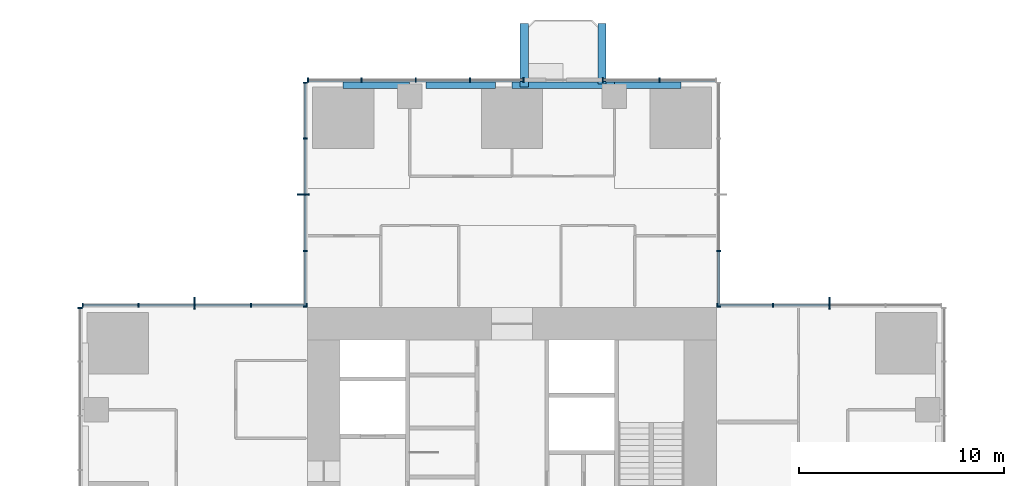
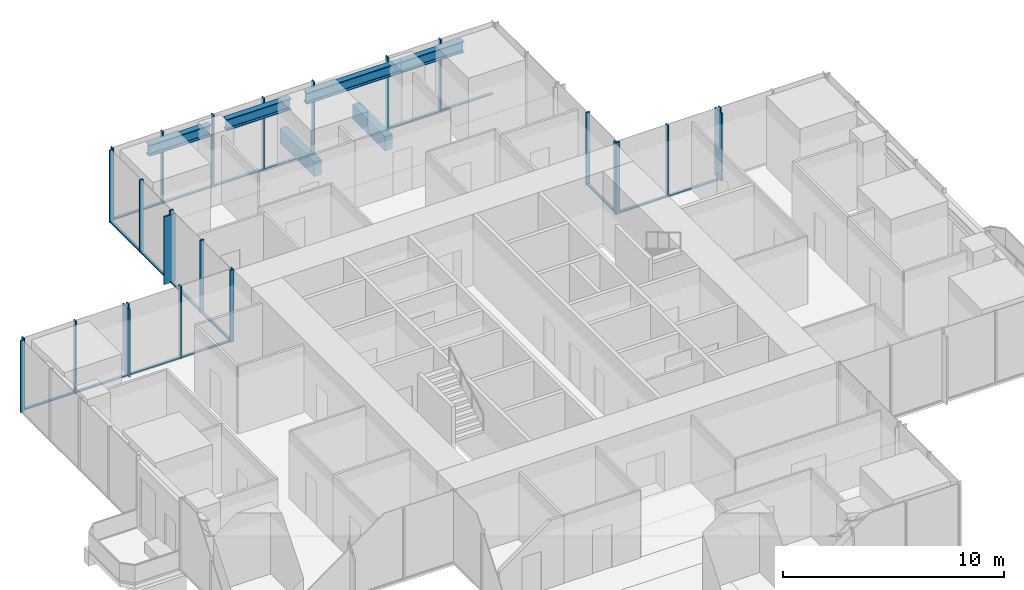
# One storey, part 5 of 14: 43 members, 6 beams, 7 elements without a shape of their own.
"""IFC4 building model written with IfcOpenShell, lengths in metres."""

from ifc_helpers import new_model, si_unit, direction, frame, origin, origin_2d, place, context, subcontext, project, spatial, rectangle, i_section, extrude, material, material_profile, profile_set, type_object, element, aggregate, save


model = new_model("IFC4")

# Units and contexts
model_context = context("Model", 3, precision=1e-05, world=origin(), true_north=direction((0.0, 1.0)))
body_context = subcontext(model_context, "Body", "Model", "MODEL_VIEW")
ifc_project = project(units=[si_unit("LENGTHUNIT", "METRE"), si_unit("AREAUNIT", "SQUARE_METRE"), si_unit("VOLUMEUNIT", "CUBIC_METRE"), si_unit("PLANEANGLEUNIT", "RADIAN"), si_unit("MASSUNIT", "GRAM", prefix="KILO")], contexts=[model_context])

# Site, building, storey
site_placement = place(None, origin())
site = spatial("IfcSite", under=ifc_project, at=site_placement, CompositionType="ELEMENT")
building_placement = place(site_placement, origin())
building = spatial("IfcBuilding", under=site, at=building_placement, Name="Svetlomir Tower", CompositionType="ELEMENT")
storey_placement = place(building_placement, frame((0.0, 0.0, 112.5)))
storey = spatial("IfcBuildingStorey", under=building, at=storey_placement, Name="L26", CompositionType="ELEMENT", Elevation=112.5)

# Beams
ifc_material_1 = material(Name="Concrete C60/75", Category="concrete")
ifc_material_profile_1 = material_profile(ifc_material_1, rectangle(XDim=0.39990234375, YDim=0.800048828125, at=origin_2d()), Name="RC 400x800")
ifc_profile_set_1 = profile_set([ifc_material_profile_1], Name="Concrete C60/75")
beam_type_1 = type_object("IfcBeamType", Name="BALCONY RIB RC 400x800", PredefinedType="BEAM", material=ifc_profile_set_1)
beam_1_placement = place(storey_placement, frame((21.60009765625, 41.75, -0.64990234375), z_axis=(0.0, 1.0, 0.0), x_axis=(-1.0, 0.0, 0.0)))
element("IfcBeam", 1, at=beam_1_placement, inside=storey, type_object=beam_type_1, Name="Balcony rib N 1 L26", PredefinedType="BEAM", context=body_context, shape_type="SweptSolid", body=[
    extrude(rectangle(XDim=0.39990234375, YDim=0.800048828125, at=origin_2d()), origin(), (0.0, 0.0, 1.0), 3.10009765625),
])
beam_2_placement = place(storey_placement, frame((25.39990234375, 41.89990234375, -0.64990234375), z_axis=(0.0, 1.0, 0.0), x_axis=(-1.0, 0.0, 0.0)))
element("IfcBeam", 2, at=beam_2_placement, inside=storey, type_object=beam_type_1, Name="Balcony rib N 2 L26", PredefinedType="BEAM", context=body_context, shape_type="SweptSolid", body=[
    extrude(rectangle(XDim=0.39990234375, YDim=0.800048828125, at=origin_2d()), origin(), (0.0, 0.0, 1.0), 2.9501953125),
])

# Curtain wall, member
ifc_material_2 = material(Name="Bronze anodised aluminium curtain wall", Category="aluminium")
curtain_wall_type = type_object("IfcCurtainWallType", Name="CURTAIN WALL CW1 TOWER OFFICE", PredefinedType="NOTDEFINED", material=ifc_material_2)
curtain_wall_1_placement = place(storey_placement, origin())
curtain_wall_1 = element("IfcCurtainWall", 3, at=curtain_wall_1_placement, inside=storey, type_object=curtain_wall_type, Name="Curtain wall CW1 L26", PredefinedType="NOTDEFINED")
ifc_material_3 = material(Name="Bronze anodised aluminium", Category="aluminium")
ifc_material_profile_2 = material_profile(ifc_material_3, rectangle(XDim=0.080078125, YDim=0.60009765625, at=origin_2d()), Name="FIN 80x600")
ifc_profile_set_2 = profile_set([ifc_material_profile_2], Name="Bronze anodised aluminium 6063-T6")
member_type_1 = type_object("IfcMemberType", Name="BRONZE FIN 80x600", PredefinedType="USERDEFINED", material=ifc_profile_set_2)
member_1_placement = place(storey_placement, frame((36.5, 31.199951171875, 0.0), z_axis=(0.0, 0.0, 1.0), x_axis=(1.0, 0.0, 0.0)))
member_1 = element("IfcMember", 4, at=member_1_placement, type_object=member_type_1, Name="Bronze fin L26", ObjectType="FIN", PredefinedType="USERDEFINED", context=body_context, shape_type="SweptSolid", body=[
    extrude(rectangle(XDim=0.080078125, YDim=0.60009765625, at=origin_2d()), origin(), (0.0, 0.0, 1.0), 3.75),
])

curtain_wall_2_placement = place(storey_placement, origin())
curtain_wall_2 = element("IfcCurtainWall", 5, at=curtain_wall_2_placement, inside=storey, type_object=curtain_wall_type, Name="Curtain wall CW1 L26", PredefinedType="NOTDEFINED")
member_2_placement = place(storey_placement, frame((10.800048828125, 36.5, 0.0), z_axis=(0.0, 0.0, 1.0), x_axis=(0.0, 1.0, 0.0)))
member_2 = element("IfcMember", 6, at=member_2_placement, type_object=member_type_1, Name="Bronze fin L26", ObjectType="FIN", PredefinedType="USERDEFINED", context=body_context, shape_type="SweptSolid", body=[
    extrude(rectangle(XDim=0.080078125, YDim=0.60009765625, at=origin_2d()), origin(), (0.0, 0.0, 1.0), 3.75),
])

curtain_wall_3_placement = place(storey_placement, origin())
curtain_wall_3 = element("IfcCurtainWall", 7, at=curtain_wall_3_placement, inside=storey, type_object=curtain_wall_type, Name="Curtain wall CW1 L26", PredefinedType="NOTDEFINED")
member_3_placement = place(storey_placement, frame((5.5, 31.199951171875, 0.0), z_axis=(0.0, 0.0, 1.0), x_axis=(1.0, 0.0, 0.0)))
member_3 = element("IfcMember", 8, at=member_3_placement, type_object=member_type_1, Name="Bronze fin L26", ObjectType="FIN", PredefinedType="USERDEFINED", context=body_context, shape_type="SweptSolid", body=[
    extrude(rectangle(XDim=0.080078125, YDim=0.60009765625, at=origin_2d()), origin(), (0.0, 0.0, 1.0), 3.75),
])

# Member
ifc_material_4 = material(Name="Bronze anodised aluminium", Category="aluminium")
ifc_material_profile_3 = material_profile(ifc_material_4, rectangle(XDim=0.06494140625, YDim=0.199951171875, at=origin_2d()), Name="AL 65x200")
ifc_profile_set_3 = profile_set([ifc_material_profile_3], Name="Bronze anodised aluminium 6063-T6")
member_type_2 = type_object("IfcMemberType", Name="CW1 MULLION 65x200", PredefinedType="MULLION", material=ifc_profile_set_3)
member_4_placement = place(storey_placement, frame((36.5, 31.10009765625, 0.0), z_axis=(0.0, 0.0, 1.0), x_axis=(-1.0, 0.0, 0.0)))
member_4 = element("IfcMember", 9, at=member_4_placement, type_object=member_type_2, Name="CW1 mullion 3", PredefinedType="MULLION", context=body_context, shape_type="SweptSolid", body=[
    extrude(rectangle(XDim=0.06494140625, YDim=0.199951171875, at=origin_2d()), origin(), (0.0, 0.0, 1.0), 4.0),
])

member_5_placement = place(storey_placement, frame((33.75, 31.10009765625, 0.0), z_axis=(0.0, 0.0, 1.0), x_axis=(-1.0, 0.0, 0.0)))
member_5 = element("IfcMember", 10, at=member_5_placement, type_object=member_type_2, Name="CW1 mullion 4", PredefinedType="MULLION", context=body_context, shape_type="SweptSolid", body=[
    extrude(rectangle(XDim=0.06494140625, YDim=0.199951171875, at=origin_2d()), origin(), (0.0, 0.0, 1.0), 4.0),
])

member_6_placement = place(storey_placement, frame((31.032470703125, 31.10009765625, 0.0), z_axis=(0.0, 0.0, 1.0), x_axis=(-1.0, 0.0, 0.0)))
member_6 = element("IfcMember", 11, at=member_6_placement, type_object=member_type_2, Name="CW1 mullion 5", PredefinedType="MULLION", context=body_context, shape_type="SweptSolid", body=[
    extrude(rectangle(XDim=0.06494140625, YDim=0.199951171875, at=origin_2d()), origin(), (0.0, 0.0, 1.0), 4.0),
])

# Curtain wall, members
curtain_wall_4_placement = place(storey_placement, origin())
curtain_wall_4 = element("IfcCurtainWall", 12, at=curtain_wall_4_placement, inside=storey, type_object=curtain_wall_type, Name="Curtain wall CW1 L26", PredefinedType="NOTDEFINED")
member_7_placement = place(storey_placement, frame((31.10009765625, 31.032470703125, 0.0), z_axis=(0.0, 0.0, 1.0), x_axis=(0.0, 1.0, 0.0)))
member_7 = element("IfcMember", 13, at=member_7_placement, type_object=member_type_2, Name="CW1 mullion 1", PredefinedType="MULLION", context=body_context, shape_type="SweptSolid", body=[
    extrude(rectangle(XDim=0.06494140625, YDim=0.199951171875, at=origin_2d()), origin(), (0.0, 0.0, 1.0), 4.0),
])
member_8_placement = place(storey_placement, frame((31.10009765625, 33.75, 0.0), z_axis=(0.0, 0.0, 1.0), x_axis=(0.0, 1.0, 0.0)))
member_8 = element("IfcMember", 14, at=member_8_placement, type_object=member_type_2, Name="CW1 mullion 2", PredefinedType="MULLION", context=body_context, shape_type="SweptSolid", body=[
    extrude(rectangle(XDim=0.06494140625, YDim=0.199951171875, at=origin_2d()), origin(), (0.0, 0.0, 1.0), 4.0),
])

curtain_wall_5_placement = place(storey_placement, origin())
curtain_wall_5 = element("IfcCurtainWall", 15, at=curtain_wall_5_placement, inside=storey, type_object=curtain_wall_type, Name="Curtain wall CW1 L26", PredefinedType="NOTDEFINED")
member_9_placement = place(storey_placement, frame((28.199951171875, 42.10009765625, 0.0), z_axis=(0.0, 0.0, 1.0), x_axis=(-1.0, 0.0, 0.0)))
member_9 = element("IfcMember", 16, at=member_9_placement, type_object=member_type_2, Name="CW1 mullion 2", PredefinedType="MULLION", context=body_context, shape_type="SweptSolid", body=[
    extrude(rectangle(XDim=0.06494140625, YDim=0.199951171875, at=origin_2d()), origin(), (0.0, 0.0, 1.0), 4.0),
])
member_10_placement = place(storey_placement, frame((25.4326171875, 42.10009765625, 0.0), z_axis=(0.0, 0.0, 1.0), x_axis=(-1.0, 0.0, 0.0)))
member_10 = element("IfcMember", 17, at=member_10_placement, type_object=member_type_2, Name="CW1 mullion 3", PredefinedType="MULLION", context=body_context, shape_type="SweptSolid", body=[
    extrude(rectangle(XDim=0.06494140625, YDim=0.199951171875, at=origin_2d()), origin(), (0.0, 0.0, 1.0), 4.0),
])

curtain_wall_6_placement = place(storey_placement, origin())
curtain_wall_6 = element("IfcCurtainWall", 18, at=curtain_wall_6_placement, inside=storey, type_object=curtain_wall_type, Name="Curtain wall CW1 L26", PredefinedType="NOTDEFINED")
member_11_placement = place(storey_placement, frame((21.5673828125, 42.10009765625, 0.0), z_axis=(0.0, 0.0, 1.0), x_axis=(-1.0, 0.0, 0.0)))
member_11 = element("IfcMember", 19, at=member_11_placement, type_object=member_type_2, Name="CW1 mullion 1", PredefinedType="MULLION", context=body_context, shape_type="SweptSolid", body=[
    extrude(rectangle(XDim=0.06494140625, YDim=0.199951171875, at=origin_2d()), origin(), (0.0, 0.0, 1.0), 4.0),
])
member_12_placement = place(storey_placement, frame((18.949951171875, 42.10009765625, 0.0), z_axis=(0.0, 0.0, 1.0), x_axis=(-1.0, 0.0, 0.0)))
member_12 = element("IfcMember", 20, at=member_12_placement, type_object=member_type_2, Name="CW1 mullion 2", PredefinedType="MULLION", context=body_context, shape_type="SweptSolid", body=[
    extrude(rectangle(XDim=0.06494140625, YDim=0.199951171875, at=origin_2d()), origin(), (0.0, 0.0, 1.0), 4.0),
])
member_13_placement = place(storey_placement, frame((16.300048828125, 42.10009765625, 0.0), z_axis=(0.0, 0.0, 1.0), x_axis=(-1.0, 0.0, 0.0)))
member_13 = element("IfcMember", 21, at=member_13_placement, type_object=member_type_2, Name="CW1 mullion 3", PredefinedType="MULLION", context=body_context, shape_type="SweptSolid", body=[
    extrude(rectangle(XDim=0.06494140625, YDim=0.199951171875, at=origin_2d()), origin(), (0.0, 0.0, 1.0), 4.0),
])
member_14_placement = place(storey_placement, frame((13.64990234375, 42.10009765625, 0.0), z_axis=(0.0, 0.0, 1.0), x_axis=(-1.0, 0.0, 0.0)))
member_14 = element("IfcMember", 22, at=member_14_placement, type_object=member_type_2, Name="CW1 mullion 4", PredefinedType="MULLION", context=body_context, shape_type="SweptSolid", body=[
    extrude(rectangle(XDim=0.06494140625, YDim=0.199951171875, at=origin_2d()), origin(), (0.0, 0.0, 1.0), 4.0),
])
member_15_placement = place(storey_placement, frame((11.032470703125, 42.10009765625, 0.0), z_axis=(0.0, 0.0, 1.0), x_axis=(-1.0, 0.0, 0.0)))
member_15 = element("IfcMember", 23, at=member_15_placement, type_object=member_type_2, Name="CW1 mullion 5", PredefinedType="MULLION", context=body_context, shape_type="SweptSolid", body=[
    extrude(rectangle(XDim=0.06494140625, YDim=0.199951171875, at=origin_2d()), origin(), (0.0, 0.0, 1.0), 4.0),
])

# Member
member_16_placement = place(storey_placement, frame((10.89990234375, 41.967529296875, 0.0), z_axis=(0.0, 0.0, 1.0), x_axis=(0.0, -1.0, 0.0)))
member_16 = element("IfcMember", 24, at=member_16_placement, type_object=member_type_2, Name="CW1 mullion 1", PredefinedType="MULLION", context=body_context, shape_type="SweptSolid", body=[
    extrude(rectangle(XDim=0.06494140625, YDim=0.199951171875, at=origin_2d()), origin(), (0.0, 0.0, 1.0), 4.0),
])

member_17_placement = place(storey_placement, frame((10.89990234375, 39.25, 0.0), z_axis=(0.0, 0.0, 1.0), x_axis=(0.0, -1.0, 0.0)))
member_17 = element("IfcMember", 25, at=member_17_placement, type_object=member_type_2, Name="CW1 mullion 2", PredefinedType="MULLION", context=body_context, shape_type="SweptSolid", body=[
    extrude(rectangle(XDim=0.06494140625, YDim=0.199951171875, at=origin_2d()), origin(), (0.0, 0.0, 1.0), 4.0),
])

member_18_placement = place(storey_placement, frame((10.89990234375, 36.5, 0.0), z_axis=(0.0, 0.0, 1.0), x_axis=(0.0, -1.0, 0.0)))
member_18 = element("IfcMember", 26, at=member_18_placement, type_object=member_type_2, Name="CW1 mullion 3", PredefinedType="MULLION", context=body_context, shape_type="SweptSolid", body=[
    extrude(rectangle(XDim=0.06494140625, YDim=0.199951171875, at=origin_2d()), origin(), (0.0, 0.0, 1.0), 4.0),
])

member_19_placement = place(storey_placement, frame((10.89990234375, 33.75, 0.0), z_axis=(0.0, 0.0, 1.0), x_axis=(0.0, -1.0, 0.0)))
member_19 = element("IfcMember", 27, at=member_19_placement, type_object=member_type_2, Name="CW1 mullion 4", PredefinedType="MULLION", context=body_context, shape_type="SweptSolid", body=[
    extrude(rectangle(XDim=0.06494140625, YDim=0.199951171875, at=origin_2d()), origin(), (0.0, 0.0, 1.0), 4.0),
])

member_20_placement = place(storey_placement, frame((10.89990234375, 31.032470703125, 0.0), z_axis=(0.0, 0.0, 1.0), x_axis=(0.0, -1.0, 0.0)))
member_20 = element("IfcMember", 28, at=member_20_placement, type_object=member_type_2, Name="CW1 mullion 5", PredefinedType="MULLION", context=body_context, shape_type="SweptSolid", body=[
    extrude(rectangle(XDim=0.06494140625, YDim=0.199951171875, at=origin_2d()), origin(), (0.0, 0.0, 1.0), 4.0),
])

member_21_placement = place(storey_placement, frame((10.967529296875, 31.10009765625, 0.0), z_axis=(0.0, 0.0, 1.0), x_axis=(-1.0, 0.0, 0.0)))
member_21 = element("IfcMember", 29, at=member_21_placement, type_object=member_type_2, Name="CW1 mullion 1", PredefinedType="MULLION", context=body_context, shape_type="SweptSolid", body=[
    extrude(rectangle(XDim=0.06494140625, YDim=0.199951171875, at=origin_2d()), origin(), (0.0, 0.0, 1.0), 4.0),
])

member_22_placement = place(storey_placement, frame((8.25, 31.10009765625, 0.0), z_axis=(0.0, 0.0, 1.0), x_axis=(-1.0, 0.0, 0.0)))
member_22 = element("IfcMember", 30, at=member_22_placement, type_object=member_type_2, Name="CW1 mullion 2", PredefinedType="MULLION", context=body_context, shape_type="SweptSolid", body=[
    extrude(rectangle(XDim=0.06494140625, YDim=0.199951171875, at=origin_2d()), origin(), (0.0, 0.0, 1.0), 4.0),
])

member_23_placement = place(storey_placement, frame((5.5, 31.10009765625, 0.0), z_axis=(0.0, 0.0, 1.0), x_axis=(-1.0, 0.0, 0.0)))
member_23 = element("IfcMember", 31, at=member_23_placement, type_object=member_type_2, Name="CW1 mullion 3", PredefinedType="MULLION", context=body_context, shape_type="SweptSolid", body=[
    extrude(rectangle(XDim=0.06494140625, YDim=0.199951171875, at=origin_2d()), origin(), (0.0, 0.0, 1.0), 4.0),
])

member_24_placement = place(storey_placement, frame((2.75, 31.10009765625, 0.0), z_axis=(0.0, 0.0, 1.0), x_axis=(-1.0, 0.0, 0.0)))
member_24 = element("IfcMember", 32, at=member_24_placement, type_object=member_type_2, Name="CW1 mullion 4", PredefinedType="MULLION", context=body_context, shape_type="SweptSolid", body=[
    extrude(rectangle(XDim=0.06494140625, YDim=0.199951171875, at=origin_2d()), origin(), (0.0, 0.0, 1.0), 4.0),
])

member_25_placement = place(storey_placement, frame((0.032470703125, 31.10009765625, 0.0), z_axis=(0.0, 0.0, 1.0), x_axis=(-1.0, 0.0, 0.0)))
member_25 = element("IfcMember", 33, at=member_25_placement, type_object=member_type_2, Name="CW1 mullion 5", PredefinedType="MULLION", context=body_context, shape_type="SweptSolid", body=[
    extrude(rectangle(XDim=0.06494140625, YDim=0.199951171875, at=origin_2d()), origin(), (0.0, 0.0, 1.0), 4.0),
])

# Curtain wall, member
curtain_wall_7_placement = place(storey_placement, origin())
curtain_wall_7 = element("IfcCurtainWall", 34, at=curtain_wall_7_placement, inside=storey, type_object=curtain_wall_type, Name="Curtain wall CW1 L26", PredefinedType="NOTDEFINED")
member_26_placement = place(storey_placement, frame((-0.10009765625, 30.967529296875, 0.0), z_axis=(0.0, 0.0, 1.0), x_axis=(0.0, -1.0, 0.0)))
member_26 = element("IfcMember", 35, at=member_26_placement, type_object=member_type_2, Name="CW1 mullion 1", PredefinedType="MULLION", context=body_context, shape_type="SweptSolid", body=[
    extrude(rectangle(XDim=0.06494140625, YDim=0.199951171875, at=origin_2d()), origin(), (0.0, 0.0, 1.0), 4.0),
])
aggregate(curtain_wall_7, [member_26])

# Member
ifc_material_5 = material(Name="Bronze anodised aluminium", Category="aluminium")
ifc_material_profile_4 = material_profile(ifc_material_5, rectangle(XDim=0.139892578125, YDim=0.06494140625, at=origin_2d()), Name="AL 140x65")
ifc_profile_set_4 = profile_set([ifc_material_profile_4], Name="Bronze anodised aluminium 6063-T6")
member_type_3 = type_object("IfcMemberType", Name="CW1 TRANSOM 65x140", PredefinedType="USERDEFINED", material=ifc_profile_set_4)
member_27_placement = place(storey_placement, frame((36.467529296875, 31.10009765625, 0.032470703125), z_axis=(-1.0, 0.0, 0.0), x_axis=(0.0, -1.0, 0.0)))
member_27 = element("IfcMember", 36, at=member_27_placement, type_object=member_type_3, Name="CW1 transom 3.1", ObjectType="TRANSOM", PredefinedType="USERDEFINED", context=body_context, shape_type="SweptSolid", body=[
    extrude(rectangle(XDim=0.139892578125, YDim=0.06494140625, at=origin_2d()), origin(), (0.0, 0.0, 1.0), 2.68505859375),
])

member_28_placement = place(storey_placement, frame((33.717529296875, 31.10009765625, 0.032470703125), z_axis=(-1.0, 0.0, 0.0), x_axis=(0.0, -1.0, 0.0)))
member_28 = element("IfcMember", 37, at=member_28_placement, type_object=member_type_3, Name="CW1 transom 4.1", ObjectType="TRANSOM", PredefinedType="USERDEFINED", context=body_context, shape_type="SweptSolid", body=[
    extrude(rectangle(XDim=0.139892578125, YDim=0.06494140625, at=origin_2d()), origin(), (0.0, 0.0, 1.0), 2.652587890625),
])

aggregate(curtain_wall_1, [member_4, member_5, member_6, member_27, member_28, member_1])

member_29_placement = place(storey_placement, frame((31.10009765625, 31.06494140625, 0.032470703125), z_axis=(0.0, 1.0, 0.0), x_axis=(-1.0, 0.0, 0.0)))
member_29 = element("IfcMember", 38, at=member_29_placement, type_object=member_type_3, Name="CW1 transom 1.1", ObjectType="TRANSOM", PredefinedType="USERDEFINED", context=body_context, shape_type="SweptSolid", body=[
    extrude(rectangle(XDim=0.139892578125, YDim=0.06494140625, at=origin_2d()), origin(), (0.0, 0.0, 1.0), 2.652587890625),
])

aggregate(curtain_wall_4, [member_7, member_8, member_29])

member_30_placement = place(storey_placement, frame((30.93505859375, 42.10009765625, 0.032470703125), z_axis=(-1.0, 0.0, 0.0), x_axis=(0.0, -1.0, 0.0)))
member_30 = element("IfcMember", 39, at=member_30_placement, type_object=member_type_3, Name="CW1 transom 1.1", ObjectType="TRANSOM", PredefinedType="USERDEFINED", context=body_context, shape_type="SweptSolid", body=[
    extrude(rectangle(XDim=0.139892578125, YDim=0.06494140625, at=origin_2d()), origin(), (0.0, 0.0, 1.0), 2.70263671875),
])

member_31_placement = place(storey_placement, frame((28.16748046875, 42.10009765625, 0.032470703125), z_axis=(-1.0, 0.0, 0.0), x_axis=(0.0, -1.0, 0.0)))
member_31 = element("IfcMember", 40, at=member_31_placement, type_object=member_type_3, Name="CW1 transom 2.1", ObjectType="TRANSOM", PredefinedType="USERDEFINED", context=body_context, shape_type="SweptSolid", body=[
    extrude(rectangle(XDim=0.139892578125, YDim=0.06494140625, at=origin_2d()), origin(), (0.0, 0.0, 1.0), 2.702392578125),
])

aggregate(curtain_wall_5, [member_9, member_10, member_30, member_31])

member_32_placement = place(storey_placement, frame((21.534912109375, 42.10009765625, 0.032470703125), z_axis=(-1.0, 0.0, 0.0), x_axis=(0.0, -1.0, 0.0)))
member_32 = element("IfcMember", 41, at=member_32_placement, type_object=member_type_3, Name="CW1 transom 1.1", ObjectType="TRANSOM", PredefinedType="USERDEFINED", context=body_context, shape_type="SweptSolid", body=[
    extrude(rectangle(XDim=0.139892578125, YDim=0.06494140625, at=origin_2d()), origin(), (0.0, 0.0, 1.0), 2.552490234375),
])

member_33_placement = place(storey_placement, frame((18.91748046875, 42.10009765625, 0.032470703125), z_axis=(-1.0, 0.0, 0.0), x_axis=(0.0, -1.0, 0.0)))
member_33 = element("IfcMember", 42, at=member_33_placement, type_object=member_type_3, Name="CW1 transom 2.1", ObjectType="TRANSOM", PredefinedType="USERDEFINED", context=body_context, shape_type="SweptSolid", body=[
    extrude(rectangle(XDim=0.139892578125, YDim=0.06494140625, at=origin_2d()), origin(), (0.0, 0.0, 1.0), 2.5849609375),
])

member_34_placement = place(storey_placement, frame((16.267578125, 42.10009765625, 0.032470703125), z_axis=(-1.0, 0.0, 0.0), x_axis=(0.0, -1.0, 0.0)))
member_34 = element("IfcMember", 43, at=member_34_placement, type_object=member_type_3, Name="CW1 transom 3.1", ObjectType="TRANSOM", PredefinedType="USERDEFINED", context=body_context, shape_type="SweptSolid", body=[
    extrude(rectangle(XDim=0.139892578125, YDim=0.06494140625, at=origin_2d()), origin(), (0.0, 0.0, 1.0), 2.5849609375),
])

member_35_placement = place(storey_placement, frame((13.617431640625, 42.10009765625, 0.032470703125), z_axis=(-1.0, 0.0, 0.0), x_axis=(0.0, -1.0, 0.0)))
member_35 = element("IfcMember", 44, at=member_35_placement, type_object=member_type_3, Name="CW1 transom 4.1", ObjectType="TRANSOM", PredefinedType="USERDEFINED", context=body_context, shape_type="SweptSolid", body=[
    extrude(rectangle(XDim=0.139892578125, YDim=0.06494140625, at=origin_2d()), origin(), (0.0, 0.0, 1.0), 2.552490234375),
])

aggregate(curtain_wall_6, [member_11, member_12, member_13, member_14, member_15, member_32, member_33, member_34, member_35])

member_36_placement = place(storey_placement, frame((10.89990234375, 41.93505859375, 0.032470703125), z_axis=(0.0, -1.0, 0.0), x_axis=(1.0, 0.0, 0.0)))
member_36 = element("IfcMember", 45, at=member_36_placement, type_object=member_type_3, Name="CW1 transom 1.1", ObjectType="TRANSOM", PredefinedType="USERDEFINED", context=body_context, shape_type="SweptSolid", body=[
    extrude(rectangle(XDim=0.139892578125, YDim=0.06494140625, at=origin_2d()), origin(), (0.0, 0.0, 1.0), 2.652587890625),
])

member_37_placement = place(storey_placement, frame((10.89990234375, 39.217529296875, 0.032470703125), z_axis=(0.0, -1.0, 0.0), x_axis=(1.0, 0.0, 0.0)))
member_37 = element("IfcMember", 46, at=member_37_placement, type_object=member_type_3, Name="CW1 transom 2.1", ObjectType="TRANSOM", PredefinedType="USERDEFINED", context=body_context, shape_type="SweptSolid", body=[
    extrude(rectangle(XDim=0.139892578125, YDim=0.06494140625, at=origin_2d()), origin(), (0.0, 0.0, 1.0), 2.68505859375),
])

member_38_placement = place(storey_placement, frame((10.89990234375, 36.467529296875, 0.032470703125), z_axis=(0.0, -1.0, 0.0), x_axis=(1.0, 0.0, 0.0)))
member_38 = element("IfcMember", 47, at=member_38_placement, type_object=member_type_3, Name="CW1 transom 3.1", ObjectType="TRANSOM", PredefinedType="USERDEFINED", context=body_context, shape_type="SweptSolid", body=[
    extrude(rectangle(XDim=0.139892578125, YDim=0.06494140625, at=origin_2d()), origin(), (0.0, 0.0, 1.0), 2.68505859375),
])

member_39_placement = place(storey_placement, frame((10.89990234375, 33.717529296875, 0.032470703125), z_axis=(0.0, -1.0, 0.0), x_axis=(1.0, 0.0, 0.0)))
member_39 = element("IfcMember", 48, at=member_39_placement, type_object=member_type_3, Name="CW1 transom 4.1", ObjectType="TRANSOM", PredefinedType="USERDEFINED", context=body_context, shape_type="SweptSolid", body=[
    extrude(rectangle(XDim=0.139892578125, YDim=0.06494140625, at=origin_2d()), origin(), (0.0, 0.0, 1.0), 2.652587890625),
])

aggregate(curtain_wall_2, [member_16, member_17, member_18, member_19, member_20, member_36, member_37, member_38, member_39, member_2])

member_40_placement = place(storey_placement, frame((10.93505859375, 31.10009765625, 0.032470703125), z_axis=(-1.0, 0.0, 0.0), x_axis=(0.0, -1.0, 0.0)))
member_40 = element("IfcMember", 49, at=member_40_placement, type_object=member_type_3, Name="CW1 transom 1.1", ObjectType="TRANSOM", PredefinedType="USERDEFINED", context=body_context, shape_type="SweptSolid", body=[
    extrude(rectangle(XDim=0.139892578125, YDim=0.06494140625, at=origin_2d()), origin(), (0.0, 0.0, 1.0), 2.652587890625),
])

member_41_placement = place(storey_placement, frame((8.217529296875, 31.10009765625, 0.032470703125), z_axis=(-1.0, 0.0, 0.0), x_axis=(0.0, -1.0, 0.0)))
member_41 = element("IfcMember", 50, at=member_41_placement, type_object=member_type_3, Name="CW1 transom 2.1", ObjectType="TRANSOM", PredefinedType="USERDEFINED", context=body_context, shape_type="SweptSolid", body=[
    extrude(rectangle(XDim=0.139892578125, YDim=0.06494140625, at=origin_2d()), origin(), (0.0, 0.0, 1.0), 2.68505859375),
])

member_42_placement = place(storey_placement, frame((5.467529296875, 31.10009765625, 0.032470703125), z_axis=(-1.0, 0.0, 0.0), x_axis=(0.0, -1.0, 0.0)))
member_42 = element("IfcMember", 51, at=member_42_placement, type_object=member_type_3, Name="CW1 transom 3.1", ObjectType="TRANSOM", PredefinedType="USERDEFINED", context=body_context, shape_type="SweptSolid", body=[
    extrude(rectangle(XDim=0.139892578125, YDim=0.06494140625, at=origin_2d()), origin(), (0.0, 0.0, 1.0), 2.68505859375),
])

member_43_placement = place(storey_placement, frame((2.717529296875, 31.10009765625, 0.032470703125), z_axis=(-1.0, 0.0, 0.0), x_axis=(0.0, -1.0, 0.0)))
member_43 = element("IfcMember", 52, at=member_43_placement, type_object=member_type_3, Name="CW1 transom 4.1", ObjectType="TRANSOM", PredefinedType="USERDEFINED", context=body_context, shape_type="SweptSolid", body=[
    extrude(rectangle(XDim=0.139892578125, YDim=0.06494140625, at=origin_2d()), origin(), (0.0, 0.0, 1.0), 2.652587890625),
])

aggregate(curtain_wall_3, [member_21, member_22, member_23, member_24, member_25, member_40, member_41, member_42, member_43, member_3])

# Beams
ifc_material_6 = material(Name="Steel S355", Category="steel")
ifc_material_profile_5 = material_profile(ifc_material_6, i_section(OverallWidth=0.304931640625, OverallDepth=0.6201171875, WebThickness=0.02099609375, FlangeThickness=0.0400390625, FilletRadius=0.027099609375, at=origin_2d()), Name="HEM 600")
ifc_profile_set_5 = profile_set([ifc_material_profile_5], Name="Steel S355")
beam_type_2 = type_object("IfcBeamType", Name="EDGE BEAM HEM 600", PredefinedType="SPANDREL", material=ifc_profile_set_5)
beam_3_placement = place(storey_placement, frame((12.75, 41.847412109375, 3.43994140625), z_axis=(1.0, 0.0, 0.0), x_axis=(0.0, 1.0, 0.0)))
element("IfcBeam", 53, at=beam_3_placement, inside=storey, type_object=beam_type_2, Name="Edge beam 11/42 to 16/42 under L27", PredefinedType="SPANDREL", context=body_context, shape_type="SweptSolid", body=[
    extrude(i_section(OverallWidth=0.304931640625, OverallDepth=0.6201171875, WebThickness=0.02099609375, FlangeThickness=0.0400390625, FilletRadius=0.027099609375, at=origin_2d()), origin(), (0.0, 0.0, 1.0), 3.25),
])
beam_4_placement = place(storey_placement, frame((16.800048828125, 41.847412109375, 3.43994140625), z_axis=(1.0, 0.0, 0.0), x_axis=(0.0, 1.0, 0.0)))
element("IfcBeam", 54, at=beam_4_placement, inside=storey, type_object=beam_type_2, Name="Edge beam 16/42 to 21/42 under L27", PredefinedType="SPANDREL", context=body_context, shape_type="SweptSolid", body=[
    extrude(i_section(OverallWidth=0.304931640625, OverallDepth=0.6201171875, WebThickness=0.02099609375, FlangeThickness=0.0400390625, FilletRadius=0.027099609375, at=origin_2d()), origin(), (0.0, 0.0, 1.0), 3.39990234375),
])
beam_5_placement = place(storey_placement, frame((21.0, 41.847412109375, 3.43994140625), z_axis=(1.0, 0.0, 0.0), x_axis=(0.0, 1.0, 0.0)))
element("IfcBeam", 55, at=beam_5_placement, inside=storey, type_object=beam_type_2, Name="Edge beam 21/42 to 26/42 under L27", PredefinedType="SPANDREL", context=body_context, shape_type="SweptSolid", body=[
    extrude(i_section(OverallWidth=0.304931640625, OverallDepth=0.6201171875, WebThickness=0.02099609375, FlangeThickness=0.0400390625, FilletRadius=0.027099609375, at=origin_2d()), origin(), (0.0, 0.0, 1.0), 5.0),
])
beam_6_placement = place(storey_placement, frame((26.0, 41.847412109375, 3.43994140625), z_axis=(1.0, 0.0, 0.0), x_axis=(0.0, 1.0, 0.0)))
element("IfcBeam", 56, at=beam_6_placement, inside=storey, type_object=beam_type_2, Name="Edge beam 26/42 to 31/42 under L27", PredefinedType="SPANDREL", context=body_context, shape_type="SweptSolid", body=[
    extrude(i_section(OverallWidth=0.304931640625, OverallDepth=0.6201171875, WebThickness=0.02099609375, FlangeThickness=0.0400390625, FilletRadius=0.027099609375, at=origin_2d()), origin(), (0.0, 0.0, 1.0), 3.25),
])

save(model, "model.ifc")
